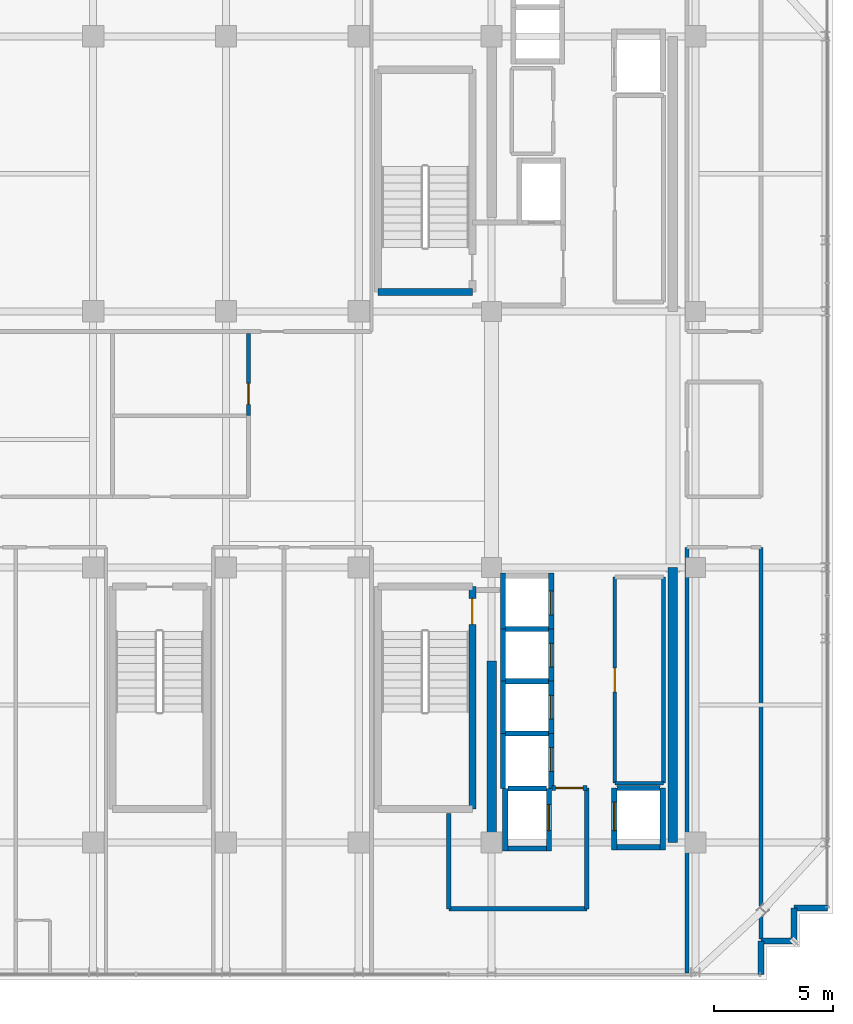
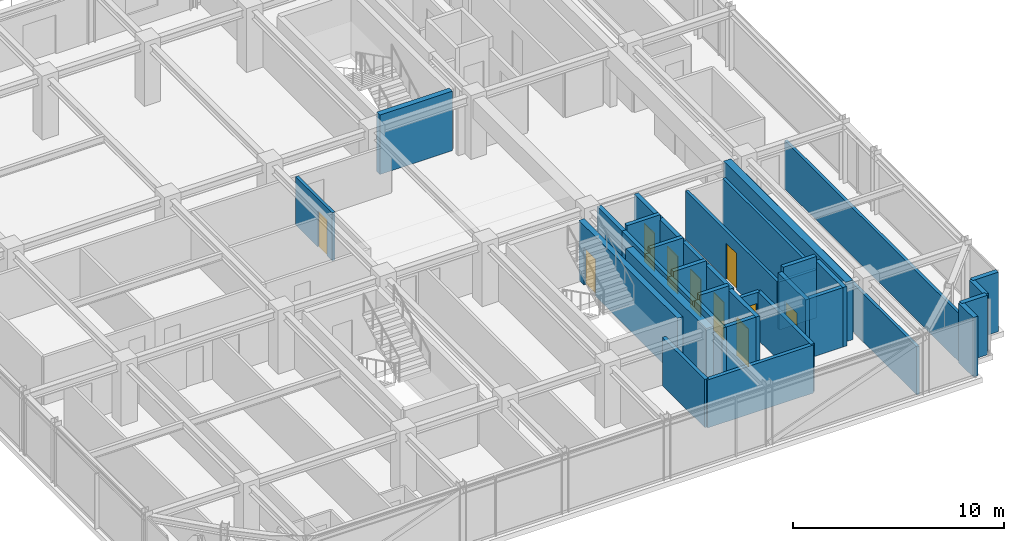
# One storey, part 31 of 36: 37 walls, 10 doors, 10 openings.
"""IFC4 building model written with IfcOpenShell, lengths in metres."""

from ifc_helpers import new_model, si_unit, direction, frame, frame_2d, origin, place, context, subcontext, project, spatial, rectangle, extrude, source, transform, mapped, material, layer, layer_set, type_object, element, fill, save


model = new_model("IFC4")

# Units and contexts
model_context = context("Model", 3, precision=1e-05, world=origin(), true_north=direction((0.0, 1.0)))
body_context = subcontext(model_context, "Body", "Model", "MODEL_VIEW")
ifc_project = project(units=[si_unit("LENGTHUNIT", "METRE"), si_unit("AREAUNIT", "SQUARE_METRE"), si_unit("VOLUMEUNIT", "CUBIC_METRE"), si_unit("PLANEANGLEUNIT", "RADIAN"), si_unit("MASSUNIT", "GRAM", prefix="KILO")], contexts=[model_context])

# Site, building, storey
site_placement = place(None, origin())
site = spatial("IfcSite", under=ifc_project, at=site_placement, CompositionType="ELEMENT")
building_placement = place(site_placement, origin())
building = spatial("IfcBuilding", under=site, at=building_placement, Name="Nahalor Promenade Grand Hotel", CompositionType="ELEMENT")
storey_placement = place(building_placement, frame((0.0, 0.0, 273.800048828125)))
storey = spatial("IfcBuildingStorey", under=building, at=storey_placement, Name="L70", CompositionType="ELEMENT", Elevation=273.800048828125)

# Walls
ifc_material_1 = material(Name="Concrete B-50 (C40/50)", Category="concrete")
ifc_layer_1 = layer(ifc_material_1, 0.39990234375)
ifc_layer_set_1 = layer_set([ifc_layer_1], Name="Concrete B-50 (C40/50)")
wall_type_1 = type_object("IfcWallType", Name="Wall-CoreShear-400", PredefinedType="SHEAR", material=ifc_layer_set_1)
shared_shape_1 = source(origin(), body_context, "Body", "SweptSolid", [
    extrude(rectangle(XDim=7.64990234375, YDim=0.39990234375, at=frame_2d((3.824951171875, 0.0))), origin(), (0.0, 0.0, 1.0), 3.449951171875),
])
wall_1_placement = place(storey_placement, frame((8.39990234375, -17.0, 0.0), z_axis=(0.0, 0.0, 1.0), x_axis=(0.0, 1.0, 0.0)))
element("IfcWall", 1, at=wall_1_placement, inside=storey, type_object=wall_type_1, Name="CWALL-L70-SW", PredefinedType="SHEAR", context=body_context, shape_type="MappedRepresentation", body=[
    mapped(shared_shape_1, transform((0.0, 0.0, 0.0), scale=1.0)),
])
shared_shape_2 = source(origin(), body_context, "Body", "SweptSolid", [
    extrude(rectangle(XDim=11.60009765625, YDim=0.39990234375, at=frame_2d((5.800048828125, 0.0))), origin(), (0.0, 0.0, 1.0), 3.449951171875),
])
wall_2_placement = place(storey_placement, frame((16.050048828125, -17.0, 0.0), z_axis=(0.0, 0.0, 1.0), x_axis=(0.0, 1.0, 0.0)))
element("IfcWall", 2, at=wall_2_placement, inside=storey, type_object=wall_type_1, Name="CWALL-L70-SE", PredefinedType="SHEAR", context=body_context, shape_type="MappedRepresentation", body=[
    mapped(shared_shape_2, transform((0.0, 0.0, 0.0), scale=1.0)),
])
ifc_layer_2 = layer(ifc_material_1, 0.300048828125)
ifc_layer_set_2 = layer_set([ifc_layer_2], Name="Concrete B-50 (C40/50)")
wall_type_2 = type_object("IfcWallType", Name="Wall-ShaftShear-300", PredefinedType="SHEAR", material=ifc_layer_set_2)
shared_shape_3 = source(origin(), body_context, "Body", "SweptSolid", [
    extrude(rectangle(XDim=3.97998046875, YDim=0.300048828125, at=frame_2d((1.989990234375, 0.0))), origin(), (0.0, 0.0, 1.0), 3.449951171875),
])
wall_3_placement = place(storey_placement, frame((3.610107421875, 6.2099609375, 0.0), z_axis=(0.0, 0.0, 1.0), x_axis=(1.0, 0.0, 0.0)))
element("IfcWall", 3, at=wall_3_placement, inside=storey, type_object=wall_type_2, Name="L70 Exit Stair ST1 Shaft Wall S", PredefinedType="SHEAR", context=body_context, shape_type="MappedRepresentation", body=[
    mapped(shared_shape_3, transform((0.0, 0.0, 0.0), scale=1.0)),
])

# Wall, opening, door
shared_shape_4 = source(origin(), body_context, "Body", "SweptSolid", [
    extrude(rectangle(XDim=9.380126953125, YDim=0.300048828125, at=frame_2d((4.68994140625, 0.0))), origin(), (0.0, 0.0, 1.0), 3.449951171875),
])
wall_4_placement = place(storey_placement, frame((7.590087890625, -15.590087890625, 0.0), z_axis=(0.0, 0.0, 1.0), x_axis=(0.0, 1.0, 0.0)))
wall_4 = element("IfcWall", 4, at=wall_4_placement, inside=storey, type_object=wall_type_2, Name="L70 Exit Stair ST2 Shaft Wall E", PredefinedType="SHEAR", context=body_context, shape_type="MappedRepresentation", body=[
    mapped(shared_shape_4, transform((0.0, 0.0, 0.0), scale=1.0)),
])
opening_1_placement = place(wall_4_placement, frame((7.7900390625, 0.0, 0.0)))
opening_1 = element("IfcOpeningElement", 5, at=opening_1_placement, cuts=wall_4, Name="Opening D-ST1", PredefinedType="OPENING", context=body_context, shape_type="SweptSolid", body=[
    extrude(rectangle(XDim=1.10009765625, YDim=2.14990234375, at=frame_2d((0.550048828125, 1.074951171875))), frame((0.0, 0.159912109375, 0.0), z_axis=(0.0, -1.0, 0.0), x_axis=(1.0, 0.0, 0.0)), (0.0, 0.0, 1.0), 0.320068359375),
])
ifc_material_2 = material(Name="Steel S355JR", Category="steel")
door_type_1 = type_object("IfcDoorType", Name="Door-StairFire-1100", OperationType="NOTDEFINED", PredefinedType="DOOR", material=ifc_material_2)
shared_shape_5 = source(origin(), body_context, "Body", "SweptSolid", [
    extrude(rectangle(XDim=1.10009765625, YDim=2.14990234375, at=frame_2d((0.550048828125, 1.074951171875))), frame((0.0, 0.02490234375, 0.0), z_axis=(0.0, -1.0, 0.0), x_axis=(1.0, 0.0, 0.0)), (0.0, 0.0, 1.0), 0.050048828125),
])
door_1_placement = place(opening_1_placement, origin())
door_1 = element("IfcDoor", 6, at=door_1_placement, inside=storey, type_object=door_type_1, Name="DR-STAIR-ST2-L70", OperationType="SINGLE_SWING_LEFT", OverallHeight=2.14990234375, OverallWidth=1.10009765625, PredefinedType="DOOR", context=body_context, shape_type="MappedRepresentation", body=[
    mapped(shared_shape_5, transform((0.0, 0.0, 0.0), scale=1.0)),
])
fill(opening_1, door_1)

# Wall
ifc_layer_3 = layer(ifc_material_1, 0.219970703125)
ifc_layer_set_3 = layer_set([ifc_layer_3], Name="Concrete B-50 (C40/50)")
wall_type_3 = type_object("IfcWallType", Name="Wall-LiftShaft-220", PredefinedType="SHEAR", material=ifc_layer_set_3)
shared_shape_6 = source(origin(), body_context, "Body", "SweptSolid", [
    extrude(rectangle(XDim=2.360107421875, YDim=0.219970703125, at=frame_2d((1.18017578125, 0.0))), origin(), (0.0, 0.0, 1.0), 3.449951171875),
])
wall_5_placement = place(storey_placement, frame((8.8798828125, -8.0, 0.0), z_axis=(0.0, 0.0, 1.0), x_axis=(0.0, 1.0, 0.0)))
element("IfcWall", 7, at=wall_5_placement, inside=storey, type_object=wall_type_3, Name="L70 Lift PL9 Hoistway Wall W", PredefinedType="SHEAR", context=body_context, shape_type="MappedRepresentation", body=[
    mapped(shared_shape_6, transform((0.0, 0.0, 0.0), scale=1.0)),
])

# Wall, opening, door
wall_6_placement = place(storey_placement, frame((10.919921875, -8.0, 0.0), z_axis=(0.0, 0.0, 1.0), x_axis=(0.0, 1.0, 0.0)))
wall_6 = element("IfcWall", 8, at=wall_6_placement, inside=storey, type_object=wall_type_3, Name="L70 Lift PL9 Hoistway Wall E", PredefinedType="SHEAR", context=body_context, shape_type="MappedRepresentation", body=[
    mapped(shared_shape_6, transform((0.0, 0.0, 0.0), scale=1.0)),
])
opening_2_placement = place(wall_6_placement, frame((0.60009765625, 0.0, 0.0)))
opening_2 = element("IfcOpeningElement", 9, at=opening_2_placement, cuts=wall_6, Name="Opening LD-01", PredefinedType="OPENING", context=body_context, shape_type="SweptSolid", body=[
    extrude(rectangle(XDim=1.0, YDim=2.199951171875, at=frame_2d((0.5, 1.10009765625))), frame((0.0, 0.119873046875, 0.0), z_axis=(0.0, -1.0, 0.0), x_axis=(1.0, 0.0, 0.0)), (0.0, 0.0, 1.0), 0.239990234375),
])
door_type_2 = type_object("IfcDoorType", Name="Door-LiftLanding-1000", OperationType="DOUBLE_DOOR_SLIDING", PredefinedType="DOOR", material=ifc_material_2)
shared_shape_7 = source(origin(), body_context, "Body", "SweptSolid", [
    extrude(rectangle(XDim=1.0, YDim=2.199951171875, at=frame_2d((0.5, 1.10009765625))), frame((0.0, 0.02490234375, 0.0), z_axis=(0.0, -1.0, 0.0), x_axis=(1.0, 0.0, 0.0)), (0.0, 0.0, 1.0), 0.050048828125),
])
door_2_placement = place(opening_2_placement, frame((1.0, 0.0, 0.0), z_axis=(0.0, 0.0, 1.0), x_axis=(-1.0, 0.0, 0.0)))
door_2 = element("IfcDoor", 10, at=door_2_placement, inside=storey, type_object=door_type_2, Name="DR-LIFT-PL9-L70", OperationType="DOUBLE_DOOR_SLIDING", OverallHeight=2.199951171875, OverallWidth=1.0, PredefinedType="DOOR", context=body_context, shape_type="MappedRepresentation", body=[
    mapped(shared_shape_7, transform((0.0, 0.0, 0.0), scale=1.0)),
])
fill(opening_2, door_2)

# Walls
shared_shape_8 = source(origin(), body_context, "Body", "SweptSolid", [
    extrude(rectangle(XDim=1.820068359375, YDim=0.219970703125, at=frame_2d((0.91015625, 0.0))), origin(), (0.0, 0.0, 1.0), 3.449951171875),
])
wall_7_placement = place(storey_placement, frame((13.68994140625, -17.199951171875, 0.0), z_axis=(0.0, 0.0, 1.0), x_axis=(1.0, 0.0, 0.0)))
element("IfcWall", 11, at=wall_7_placement, inside=storey, type_object=wall_type_3, Name="L70 Lift SV2 Hoistway Wall S", PredefinedType="SHEAR", context=body_context, shape_type="MappedRepresentation", body=[
    mapped(shared_shape_8, transform((0.0, 0.0, 0.0), scale=1.0)),
])
shared_shape_9 = source(origin(), body_context, "Body", "SweptSolid", [
    extrude(rectangle(XDim=2.199951171875, YDim=0.219970703125, at=frame_2d((1.10009765625, 0.0))), origin(), (0.0, 0.0, 1.0), 3.449951171875),
])
wall_8_placement = place(storey_placement, frame((8.8798828125, -10.199951171875, 0.0), z_axis=(0.0, 0.0, 1.0), x_axis=(0.0, 1.0, 0.0)))
element("IfcWall", 12, at=wall_8_placement, inside=storey, type_object=wall_type_3, Name="L70 Lift PL10 Hoistway Wall W", PredefinedType="SHEAR", context=body_context, shape_type="MappedRepresentation", body=[
    mapped(shared_shape_9, transform((0.0, 0.0, 0.0), scale=1.0)),
])

# Wall, opening, door
wall_9_placement = place(storey_placement, frame((10.919921875, -10.199951171875, 0.0), z_axis=(0.0, 0.0, 1.0), x_axis=(0.0, 1.0, 0.0)))
wall_9 = element("IfcWall", 13, at=wall_9_placement, inside=storey, type_object=wall_type_3, Name="L70 Lift PL10 Hoistway Wall E", PredefinedType="SHEAR", context=body_context, shape_type="MappedRepresentation", body=[
    mapped(shared_shape_9, transform((0.0, 0.0, 0.0), scale=1.0)),
])
opening_3_placement = place(wall_9_placement, frame((0.60009765625, 0.0, 0.0)))
opening_3 = element("IfcOpeningElement", 14, at=opening_3_placement, cuts=wall_9, Name="Opening LD-01", PredefinedType="OPENING", context=body_context, shape_type="SweptSolid", body=[
    extrude(rectangle(XDim=1.0, YDim=2.199951171875, at=frame_2d((0.5, 1.10009765625))), frame((0.0, 0.119873046875, 0.0), z_axis=(0.0, -1.0, 0.0), x_axis=(1.0, 0.0, 0.0)), (0.0, 0.0, 1.0), 0.239990234375),
])
door_3_placement = place(opening_3_placement, frame((1.0, 0.0, 0.0), z_axis=(0.0, 0.0, 1.0), x_axis=(-1.0, 0.0, 0.0)))
door_3 = element("IfcDoor", 15, at=door_3_placement, inside=storey, type_object=door_type_2, Name="DR-LIFT-PL10-L70", OperationType="DOUBLE_DOOR_SLIDING", OverallHeight=2.199951171875, OverallWidth=1.0, PredefinedType="DOOR", context=body_context, shape_type="MappedRepresentation", body=[
    mapped(shared_shape_7, transform((0.0, 0.0, 0.0), scale=1.0)),
])
fill(opening_3, door_3)

# Wall
wall_10_placement = place(storey_placement, frame((8.8798828125, -12.39990234375, 0.0), z_axis=(0.0, 0.0, 1.0), x_axis=(0.0, 1.0, 0.0)))
element("IfcWall", 16, at=wall_10_placement, inside=storey, type_object=wall_type_3, Name="L70 Lift PL11 Hoistway Wall W", PredefinedType="SHEAR", context=body_context, shape_type="MappedRepresentation", body=[
    mapped(shared_shape_9, transform((0.0, 0.0, 0.0), scale=1.0)),
])

# Wall, opening, door
wall_11_placement = place(storey_placement, frame((10.919921875, -12.39990234375, 0.0), z_axis=(0.0, 0.0, 1.0), x_axis=(0.0, 1.0, 0.0)))
wall_11 = element("IfcWall", 17, at=wall_11_placement, inside=storey, type_object=wall_type_3, Name="L70 Lift PL11 Hoistway Wall E", PredefinedType="SHEAR", context=body_context, shape_type="MappedRepresentation", body=[
    mapped(shared_shape_9, transform((0.0, 0.0, 0.0), scale=1.0)),
])
opening_4_placement = place(wall_11_placement, frame((0.60009765625, 0.0, 0.0)))
opening_4 = element("IfcOpeningElement", 18, at=opening_4_placement, cuts=wall_11, Name="Opening LD-01", PredefinedType="OPENING", context=body_context, shape_type="SweptSolid", body=[
    extrude(rectangle(XDim=1.0, YDim=2.199951171875, at=frame_2d((0.5, 1.10009765625))), frame((0.0, 0.119873046875, 0.0), z_axis=(0.0, -1.0, 0.0), x_axis=(1.0, 0.0, 0.0)), (0.0, 0.0, 1.0), 0.239990234375),
])
door_4_placement = place(opening_4_placement, frame((1.0, 0.0, 0.0), z_axis=(0.0, 0.0, 1.0), x_axis=(-1.0, 0.0, 0.0)))
door_4 = element("IfcDoor", 19, at=door_4_placement, inside=storey, type_object=door_type_2, Name="DR-LIFT-PL11-L70", OperationType="DOUBLE_DOOR_SLIDING", OverallHeight=2.199951171875, OverallWidth=1.0, PredefinedType="DOOR", context=body_context, shape_type="MappedRepresentation", body=[
    mapped(shared_shape_7, transform((0.0, 0.0, 0.0), scale=1.0)),
])
fill(opening_4, door_4)

# Walls
shared_shape_10 = source(origin(), body_context, "Body", "SweptSolid", [
    extrude(rectangle(XDim=1.820068359375, YDim=0.219970703125, at=frame_2d((0.91015625, 0.0))), origin(), (0.0, 0.0, 1.0), 3.75),
])
for number, where, z_axis, x_axis, name in (
    (20, (8.989990234375, -8.0, 0.0), (0.0, 0.0, 1.0), (1.0, 0.0, 0.0), "L70 Lift PL10 Hoistway Wall N"),
    (21, (8.989990234375, -10.199951171875, 0.0), (0.0, 0.0, 1.0), (1.0, 0.0, 0.0), "L70 Lift PL11 Hoistway Wall N"),
    (22, (8.989990234375, -12.39990234375, 0.0), (0.0, 0.0, 1.0), (1.0, 0.0, 0.0), "L70 Lift PL12 Hoistway Wall N"),
    (23, (13.68994140625, -14.699951171875, 0.0), (0.0, 0.0, 1.0), (1.0, 0.0, 0.0), "L70 Lift SV2 Hoistway Wall N"),
):
    element("IfcWall", number, at=place(storey_placement, frame(where, z_axis=z_axis, x_axis=x_axis)), inside=storey, type_object=wall_type_3, Name=name, PredefinedType="SHEAR", context=body_context, shape_type="MappedRepresentation", body=[
        mapped(shared_shape_10, transform((0.0, 0.0, 0.0), scale=1.0)),
    ])
shared_shape_11 = source(origin(), body_context, "Body", "SweptSolid", [
    extrude(rectangle(XDim=2.3251953125, YDim=0.219970703125, at=frame_2d((1.16259765625, 0.0))), origin(), (0.0, 0.0, 1.0), 3.449951171875),
])
wall_12_placement = place(storey_placement, frame((8.8798828125, -14.72509765625, 0.0), z_axis=(0.0, 0.0, 1.0), x_axis=(0.0, 1.0, 0.0)))
element("IfcWall", 24, at=wall_12_placement, inside=storey, type_object=wall_type_3, Name="L70 Lift PL12 Hoistway Wall W", PredefinedType="SHEAR", context=body_context, shape_type="MappedRepresentation", body=[
    mapped(shared_shape_11, transform((0.0, 0.0, 0.0), scale=1.0)),
])

# Wall, opening, door
wall_13_placement = place(storey_placement, frame((10.919921875, -14.72509765625, 0.0), z_axis=(0.0, 0.0, 1.0), x_axis=(0.0, 1.0, 0.0)))
wall_13 = element("IfcWall", 25, at=wall_13_placement, inside=storey, type_object=wall_type_3, Name="L70 Lift PL12 Hoistway Wall E", PredefinedType="SHEAR", context=body_context, shape_type="MappedRepresentation", body=[
    mapped(shared_shape_11, transform((0.0, 0.0, 0.0), scale=1.0)),
])
opening_5_placement = place(wall_13_placement, frame((0.72509765625, 0.0, 0.0)))
opening_5 = element("IfcOpeningElement", 26, at=opening_5_placement, cuts=wall_13, Name="Opening LD-01", PredefinedType="OPENING", context=body_context, shape_type="SweptSolid", body=[
    extrude(rectangle(XDim=1.0, YDim=2.199951171875, at=frame_2d((0.5, 1.10009765625))), frame((0.0, 0.119873046875, 0.0), z_axis=(0.0, -1.0, 0.0), x_axis=(1.0, 0.0, 0.0)), (0.0, 0.0, 1.0), 0.239990234375),
])
door_5_placement = place(opening_5_placement, frame((1.0, 0.0, 0.0), z_axis=(0.0, 0.0, 1.0), x_axis=(-1.0, 0.0, 0.0)))
door_5 = element("IfcDoor", 27, at=door_5_placement, inside=storey, type_object=door_type_2, Name="DR-LIFT-PL12-L70", OperationType="DOUBLE_DOOR_SLIDING", OverallHeight=2.199951171875, OverallWidth=1.0, PredefinedType="DOOR", context=body_context, shape_type="MappedRepresentation", body=[
    mapped(shared_shape_7, transform((0.0, 0.0, 0.0), scale=1.0)),
])
fill(opening_5, door_5)

# Wall
shared_shape_12 = source(origin(), body_context, "Body", "SweptSolid", [
    extrude(rectangle(XDim=2.635009765625, YDim=0.219970703125, at=frame_2d((1.3173828125, 0.0))), origin(), (0.0, 0.0, 1.0), 3.449951171875),
])
wall_14_placement = place(storey_placement, frame((8.97998046875, -17.360107421875, 0.0), z_axis=(0.0, 0.0, 1.0), x_axis=(0.0, 1.0, 0.0)))
element("IfcWall", 28, at=wall_14_placement, inside=storey, type_object=wall_type_3, Name="L70 Lift FL2 Hoistway Wall W", PredefinedType="SHEAR", context=body_context, shape_type="MappedRepresentation", body=[
    mapped(shared_shape_12, transform((0.0, 0.0, 0.0), scale=1.0)),
])

# Wall, opening, door
wall_15_placement = place(storey_placement, frame((10.820068359375, -17.360107421875, 0.0), z_axis=(0.0, 0.0, 1.0), x_axis=(0.0, 1.0, 0.0)))
wall_15 = element("IfcWall", 29, at=wall_15_placement, inside=storey, type_object=wall_type_3, Name="L70 Lift FL2 Hoistway Wall E", PredefinedType="SHEAR", context=body_context, shape_type="MappedRepresentation", body=[
    mapped(shared_shape_12, transform((0.0, 0.0, 0.0), scale=1.0)),
])
opening_6_placement = place(wall_15_placement, frame((0.860107421875, 0.0, 0.0)))
opening_6 = element("IfcOpeningElement", 30, at=opening_6_placement, cuts=wall_15, Name="Opening LD-02", PredefinedType="OPENING", context=body_context, shape_type="SweptSolid", body=[
    extrude(rectangle(XDim=1.10009765625, YDim=2.199951171875, at=frame_2d((0.550048828125, 1.10009765625))), frame((0.0, 0.119873046875, 0.0), z_axis=(0.0, -1.0, 0.0), x_axis=(1.0, 0.0, 0.0)), (0.0, 0.0, 1.0), 0.239990234375),
])
door_type_3 = type_object("IfcDoorType", Name="Door-LiftFF-1100", OperationType="DOUBLE_DOOR_SLIDING", PredefinedType="DOOR", material=ifc_material_2)
shared_shape_13 = source(origin(), body_context, "Body", "SweptSolid", [
    extrude(rectangle(XDim=1.10009765625, YDim=2.199951171875, at=frame_2d((0.550048828125, 1.10009765625))), frame((0.0, 0.02490234375, 0.0), z_axis=(0.0, -1.0, 0.0), x_axis=(1.0, 0.0, 0.0)), (0.0, 0.0, 1.0), 0.050048828125),
])
door_6_placement = place(opening_6_placement, frame((1.10009765625, 0.0, 0.0), z_axis=(0.0, 0.0, 1.0), x_axis=(-1.0, 0.0, 0.0)))
door_6 = element("IfcDoor", 31, at=door_6_placement, inside=storey, type_object=door_type_3, Name="DR-LIFT-FL2-L70", OperationType="DOUBLE_DOOR_SLIDING", OverallHeight=2.199951171875, OverallWidth=1.10009765625, PredefinedType="DOOR", context=body_context, shape_type="MappedRepresentation", body=[
    mapped(shared_shape_13, transform((0.0, 0.0, 0.0), scale=1.0)),
])
fill(opening_6, door_6)

# Walls
shared_shape_14 = source(origin(), body_context, "Body", "SweptSolid", [
    extrude(rectangle(XDim=1.619873046875, YDim=0.219970703125, at=frame_2d((0.81005859375, 0.0))), origin(), (0.0, 0.0, 1.0), 3.449951171875),
])
wall_16_placement = place(storey_placement, frame((9.090087890625, -17.25, 0.0), z_axis=(0.0, 0.0, 1.0), x_axis=(1.0, 0.0, 0.0)))
element("IfcWall", 32, at=wall_16_placement, inside=storey, type_object=wall_type_3, Name="L70 Lift FL2 Hoistway Wall S", PredefinedType="SHEAR", context=body_context, shape_type="MappedRepresentation", body=[
    mapped(shared_shape_14, transform((0.0, 0.0, 0.0), scale=1.0)),
])
shared_shape_15 = source(origin(), body_context, "Body", "SweptSolid", [
    extrude(rectangle(XDim=1.619873046875, YDim=0.219970703125, at=frame_2d((0.81005859375, 0.0))), origin(), (0.0, 0.0, 1.0), 3.75),
])
wall_17_placement = place(storey_placement, frame((9.090087890625, -14.72509765625, 0.0), z_axis=(0.0, 0.0, 1.0), x_axis=(1.0, 0.0, 0.0)))
element("IfcWall", 33, at=wall_17_placement, inside=storey, type_object=wall_type_3, Name="L70 Lift FL2 Hoistway Wall N", PredefinedType="SHEAR", context=body_context, shape_type="MappedRepresentation", body=[
    mapped(shared_shape_15, transform((0.0, 0.0, 0.0), scale=1.0)),
])

# Wall, opening, door
shared_shape_16 = source(origin(), body_context, "Body", "SweptSolid", [
    extrude(rectangle(XDim=2.610107421875, YDim=0.219970703125, at=frame_2d((1.30517578125, 0.0))), origin(), (0.0, 0.0, 1.0), 3.449951171875),
])
wall_18_placement = place(storey_placement, frame((13.580078125, -17.31005859375, 0.0), z_axis=(0.0, 0.0, 1.0), x_axis=(0.0, 1.0, 0.0)))
wall_18 = element("IfcWall", 34, at=wall_18_placement, inside=storey, type_object=wall_type_3, Name="L70 Lift SV2 Hoistway Wall W", PredefinedType="SHEAR", context=body_context, shape_type="MappedRepresentation", body=[
    mapped(shared_shape_16, transform((0.0, 0.0, 0.0), scale=1.0)),
])
opening_7_placement = place(wall_18_placement, frame((0.81005859375, 0.0, 0.0)))
opening_7 = element("IfcOpeningElement", 35, at=opening_7_placement, cuts=wall_18, Name="Opening LD-03", PredefinedType="OPENING", context=body_context, shape_type="SweptSolid", body=[
    extrude(rectangle(XDim=1.199951171875, YDim=2.199951171875, at=frame_2d((0.60009765625, 1.10009765625))), frame((0.0, 0.119873046875, 0.0), z_axis=(0.0, -1.0, 0.0), x_axis=(1.0, 0.0, 0.0)), (0.0, 0.0, 1.0), 0.239990234375),
])
door_type_4 = type_object("IfcDoorType", Name="Door-LiftService-1200", OperationType="DOUBLE_DOOR_SLIDING", PredefinedType="DOOR", material=ifc_material_2)
shared_shape_17 = source(origin(), body_context, "Body", "SweptSolid", [
    extrude(rectangle(XDim=1.199951171875, YDim=2.199951171875, at=frame_2d((0.60009765625, 1.10009765625))), frame((0.0, 0.02490234375, 0.0), z_axis=(0.0, -1.0, 0.0), x_axis=(1.0, 0.0, 0.0)), (0.0, 0.0, 1.0), 0.050048828125),
])
door_7_placement = place(opening_7_placement, origin())
door_7 = element("IfcDoor", 36, at=door_7_placement, inside=storey, type_object=door_type_4, Name="DR-LIFT-SV2-L70", OperationType="DOUBLE_DOOR_SLIDING", OverallHeight=2.199951171875, OverallWidth=1.199951171875, PredefinedType="DOOR", context=body_context, shape_type="MappedRepresentation", body=[
    mapped(shared_shape_17, transform((0.0, 0.0, 0.0), scale=1.0)),
])
fill(opening_7, door_7)

# Walls
wall_19_placement = place(storey_placement, frame((15.6201171875, -17.31005859375, 0.0), z_axis=(0.0, 0.0, 1.0), x_axis=(0.0, 1.0, 0.0)))
element("IfcWall", 37, at=wall_19_placement, inside=storey, type_object=wall_type_3, Name="L70 Lift SV2 Hoistway Wall E", PredefinedType="SHEAR", context=body_context, shape_type="MappedRepresentation", body=[
    mapped(shared_shape_16, transform((0.0, 0.0, 0.0), scale=1.0)),
])
ifc_material_3 = material(Name="Concrete B-40 (C32/40)", Category="concrete")
ifc_layer_4 = layer(ifc_material_3, 0.25)
ifc_layer_set_4 = layer_set([ifc_layer_4], Name="Concrete B-40 (C32/40)")
wall_type_4 = type_object("IfcWallType", Name="Wall-BronzePier-250", PredefinedType="STANDARD", material=ifc_layer_set_4)
shared_shape_18 = source(origin(), body_context, "Body", "SweptSolid", [
    extrude(rectangle(XDim=1.400146484375, YDim=0.25, at=frame_2d((0.7001953125, 0.0))), origin(), (0.0, 0.0, 1.0), 3.449951171875),
])
for number, where, z_axis, x_axis, name in (
    (38, (19.760009765625, -22.56005859375, 0.0), (0.0, 0.0, 1.0), (0.0, 1.0, 0.0), "W-L70-SR-01"),
    (39, (21.159912109375, -19.760009765625, 0.0), (0.0, 0.0, 1.0), (1.0, 0.0, 0.0), "W-L70-SR-04"),
):
    element("IfcWall", number, at=place(storey_placement, frame(where, z_axis=z_axis, x_axis=x_axis)), inside=storey, type_object=wall_type_4, Name=name, PredefinedType="STANDARD", context=body_context, shape_type="MappedRepresentation", body=[
        mapped(shared_shape_18, transform((0.0, 0.0, 0.0), scale=1.0)),
    ])
shared_shape_19 = source(origin(), body_context, "Body", "SweptSolid", [
    extrude(rectangle(XDim=1.39990234375, YDim=0.25, at=frame_2d((0.699951171875, 0.0))), origin(), (0.0, 0.0, 1.0), 3.449951171875),
])
for number, where, z_axis, x_axis, name in (
    (40, (19.760009765625, -21.159912109375, 0.0), (0.0, 0.0, 1.0), (1.0, 0.0, 0.0), "W-L70-SR-02"),
    (41, (21.159912109375, -21.159912109375, 0.0), (0.0, 0.0, 1.0), (0.0, 1.0, 0.0), "W-L70-SR-03"),
):
    element("IfcWall", number, at=place(storey_placement, frame(where, z_axis=z_axis, x_axis=x_axis)), inside=storey, type_object=wall_type_4, Name=name, PredefinedType="STANDARD", context=body_context, shape_type="MappedRepresentation", body=[
        mapped(shared_shape_19, transform((0.0, 0.0, 0.0), scale=1.0)),
    ])
ifc_layer_5 = layer(ifc_material_3, 0.199951171875)
ifc_layer_set_5 = layer_set([ifc_layer_5], Name="Concrete B-40 (C32/40)")
wall_type_5 = type_object("IfcWallType", Name="Wall-PartFire-200", PredefinedType="PARTITIONING", material=ifc_layer_set_5)
shared_shape_20 = source(origin(), body_context, "Body", "SweptSolid", [
    extrude(rectangle(XDim=5.81982421875, YDim=0.199951171875, at=frame_2d((2.909912109375, 0.0))), origin(), (0.0, 0.0, 1.0), 2.7900390625),
])
wall_20_placement = place(storey_placement, frame((6.60009765625, -19.800048828125, 0.0), z_axis=(0.0, 0.0, 1.0), x_axis=(1.0, 0.0, 0.0)))
element("IfcWall", 42, at=wall_20_placement, inside=storey, type_object=wall_type_5, Name="W-L70-FF2-S1", PredefinedType="PARTITIONING", context=body_context, shape_type="MappedRepresentation", body=[
    mapped(shared_shape_20, transform((0.0, 0.0, 0.0), scale=1.0)),
])
shared_shape_21 = source(origin(), body_context, "Body", "SweptSolid", [
    extrude(rectangle(XDim=4.030029296875, YDim=0.199951171875, at=frame_2d((2.01513671875, 0.0))), origin(), (0.0, 0.0, 1.0), 2.7900390625),
])
wall_21_placement = place(storey_placement, frame((6.60009765625, -19.800048828125, 0.0), z_axis=(0.0, 0.0, 1.0), x_axis=(0.0, 1.0, 0.0)))
element("IfcWall", 43, at=wall_21_placement, inside=storey, type_object=wall_type_5, Name="W-L70-FF2-W1", PredefinedType="PARTITIONING", context=body_context, shape_type="MappedRepresentation", body=[
    mapped(shared_shape_21, transform((0.0, 0.0, 0.0), scale=1.0)),
])
shared_shape_22 = source(origin(), body_context, "Body", "SweptSolid", [
    extrude(rectangle(XDim=5.10009765625, YDim=0.199951171875, at=frame_2d((2.550048828125, 0.0))), origin(), (0.0, 0.0, 1.0), 2.7900390625),
])
wall_22_placement = place(storey_placement, frame((12.419921875, -19.800048828125, 0.0), z_axis=(0.0, 0.0, 1.0), x_axis=(0.0, 1.0, 0.0)))
element("IfcWall", 44, at=wall_22_placement, inside=storey, type_object=wall_type_5, Name="W-L70-FF2-E", PredefinedType="PARTITIONING", context=body_context, shape_type="MappedRepresentation", body=[
    mapped(shared_shape_22, transform((0.0, 0.0, 0.0), scale=1.0)),
])

# Wall, opening, door
shared_shape_23 = source(origin(), body_context, "Body", "SweptSolid", [
    extrude(rectangle(XDim=1.4599609375, YDim=0.199951171875, at=frame_2d((0.72998046875, 0.0))), origin(), (0.0, 0.0, 1.0), 2.7900390625),
])
wall_23_placement = place(storey_placement, frame((10.9599609375, -14.699951171875, 0.0), z_axis=(0.0, 0.0, 1.0), x_axis=(1.0, 0.0, 0.0)))
wall_23 = element("IfcWall", 45, at=wall_23_placement, inside=storey, type_object=wall_type_5, Name="W-L70-FF2-N1", PredefinedType="PARTITIONING", context=body_context, shape_type="MappedRepresentation", body=[
    mapped(shared_shape_23, transform((0.0, 0.0, 0.0), scale=1.0)),
])
opening_8_placement = place(wall_23_placement, frame((0.14501953125, 0.0, 0.0)))
opening_8 = element("IfcOpeningElement", 46, at=opening_8_placement, cuts=wall_23, Name="Opening D-FF1", PredefinedType="OPENING", context=body_context, shape_type="SweptSolid", body=[
    extrude(rectangle(XDim=1.14990234375, YDim=2.14990234375, at=frame_2d((0.574951171875, 1.074951171875))), frame((0.0, 0.10986328125, 0.0), z_axis=(0.0, -1.0, 0.0), x_axis=(1.0, 0.0, 0.0)), (0.0, 0.0, 1.0), 0.219970703125),
])
door_type_5 = type_object("IfcDoorType", Name="Door-FFLobby-1150", OperationType="NOTDEFINED", PredefinedType="DOOR", material=ifc_material_2)
shared_shape_24 = source(origin(), body_context, "Body", "SweptSolid", [
    extrude(rectangle(XDim=1.14990234375, YDim=2.14990234375, at=frame_2d((0.574951171875, 1.074951171875))), frame((0.0, 0.02490234375, 0.0), z_axis=(0.0, -1.0, 0.0), x_axis=(1.0, 0.0, 0.0)), (0.0, 0.0, 1.0), 0.050048828125),
])
door_8_placement = place(opening_8_placement, origin())
door_8 = element("IfcDoor", 47, at=door_8_placement, inside=storey, type_object=door_type_5, Name="DR-L70-FFL2", OperationType="SINGLE_SWING_RIGHT", OverallHeight=2.14990234375, OverallWidth=1.14990234375, PredefinedType="DOOR", context=body_context, shape_type="MappedRepresentation", body=[
    mapped(shared_shape_24, transform((0.0, 0.0, 0.0), scale=1.0)),
])
fill(opening_8, door_8)

# Walls
ifc_material_4 = material(Name="Acoustic Mineral Gypsum", Category="gypsum")
ifc_layer_6 = layer(ifc_material_4, 0.159912109375)
ifc_layer_set_6 = layer_set([ifc_layer_6], Name="Acoustic Mineral Gypsum")
wall_type_6 = type_object("IfcWallType", Name="Wall-PartCorridor-160", PredefinedType="PARTITIONING", material=ifc_layer_set_6)
shared_shape_25 = source(origin(), body_context, "Body", "SweptSolid", [
    extrude(rectangle(XDim=2.0498046875, YDim=0.159912109375, at=frame_2d((1.02490234375, 0.0))), origin(), (0.0, 0.0, 1.0), 2.7900390625),
])
wall_24_placement = place(storey_placement, frame((13.60009765625, -14.5, 0.0), z_axis=(0.0, 0.0, 1.0), x_axis=(1.0, 0.0, 0.0)))
element("IfcWall", 48, at=wall_24_placement, inside=storey, type_object=wall_type_6, Name="W-L70-FRB2-S", PredefinedType="PARTITIONING", context=body_context, shape_type="MappedRepresentation", body=[
    mapped(shared_shape_25, transform((0.0, 0.0, 0.0), scale=1.0)),
])
shared_shape_26 = source(origin(), body_context, "Body", "SweptSolid", [
    extrude(rectangle(XDim=17.949951171875, YDim=0.159912109375, at=frame_2d((8.97509765625, 0.0))), origin(), (0.0, 0.0, 1.0), 2.7900390625),
])
wall_25_placement = place(storey_placement, frame((16.64990234375, -22.5, 0.0), z_axis=(0.0, 0.0, 1.0), x_axis=(0.0, 1.0, 0.0)))
element("IfcWall", 49, at=wall_25_placement, inside=storey, type_object=wall_type_6, Name="W-L70-ESE-W", PredefinedType="PARTITIONING", context=body_context, shape_type="MappedRepresentation", body=[
    mapped(shared_shape_26, transform((0.0, 0.0, 0.0), scale=1.0)),
])
shared_shape_27 = source(origin(), body_context, "Body", "SweptSolid", [
    extrude(rectangle(XDim=16.530029296875, YDim=0.159912109375, at=frame_2d((8.26513671875, 0.0))), origin(), (0.0, 0.0, 1.0), 2.7900390625),
])
wall_26_placement = place(storey_placement, frame((19.760009765625, -21.080078125, 0.0), z_axis=(0.0, 0.0, 1.0), x_axis=(0.0, 1.0, 0.0)))
element("IfcWall", 50, at=wall_26_placement, inside=storey, type_object=wall_type_6, Name="W-L70-ESE-E", PredefinedType="PARTITIONING", context=body_context, shape_type="MappedRepresentation", body=[
    mapped(shared_shape_27, transform((0.0, 0.0, 0.0), scale=1.0)),
])

# Wall, opening, door
shared_shape_28 = source(origin(), body_context, "Body", "SweptSolid", [
    extrude(rectangle(XDim=8.699951171875, YDim=0.159912109375, at=frame_2d((4.35009765625, 0.0))), origin(), (0.0, 0.0, 1.0), 2.7900390625),
])
wall_27_placement = place(storey_placement, frame((13.60009765625, -14.5, 0.0), z_axis=(0.0, 0.0, 1.0), x_axis=(0.0, 1.0, 0.0)))
wall_27 = element("IfcWall", 51, at=wall_27_placement, inside=storey, type_object=wall_type_6, Name="W-L70-FRB2-W", PredefinedType="PARTITIONING", context=body_context, shape_type="MappedRepresentation", body=[
    mapped(shared_shape_28, transform((0.0, 0.0, 0.0), scale=1.0)),
])
opening_9_placement = place(wall_27_placement, frame((3.85009765625, 0.0, 0.0)))
opening_9 = element("IfcOpeningElement", 52, at=opening_9_placement, cuts=wall_27, Name="Opening D-04", PredefinedType="OPENING", context=body_context, shape_type="SweptSolid", body=[
    extrude(rectangle(XDim=1.0, YDim=2.10009765625, at=frame_2d((0.5, 1.050048828125))), frame((0.0, 0.08984375, 0.0), z_axis=(0.0, -1.0, 0.0), x_axis=(1.0, 0.0, 0.0)), (0.0, 0.0, 1.0), 0.179931640625),
])
door_type_6 = type_object("IfcDoorType", Name="Door-ServiceFire-1000", OperationType="NOTDEFINED", PredefinedType="DOOR", material=ifc_material_2)
shared_shape_29 = source(origin(), body_context, "Body", "SweptSolid", [
    extrude(rectangle(XDim=1.0, YDim=2.10009765625, at=frame_2d((0.5, 1.050048828125))), frame((0.0, 0.02490234375, 0.0), z_axis=(0.0, -1.0, 0.0), x_axis=(1.0, 0.0, 0.0)), (0.0, 0.0, 1.0), 0.050048828125),
])
door_9_placement = place(opening_9_placement, frame((1.0, 0.0, 0.0), z_axis=(0.0, 0.0, 1.0), x_axis=(-1.0, 0.0, 0.0)))
door_9 = element("IfcDoor", 53, at=door_9_placement, inside=storey, type_object=door_type_6, Name="DR-L70-FRB2", OperationType="SINGLE_SWING_LEFT", OverallHeight=2.10009765625, OverallWidth=1.0, PredefinedType="DOOR", context=body_context, shape_type="MappedRepresentation", body=[
    mapped(shared_shape_29, transform((0.0, 0.0, 0.0), scale=1.0)),
])
fill(opening_9, door_9)

# Wall
wall_28_placement = place(storey_placement, frame((15.64990234375, -14.5, 0.0), z_axis=(0.0, 0.0, 1.0), x_axis=(0.0, 1.0, 0.0)))
element("IfcWall", 54, at=wall_28_placement, inside=storey, type_object=wall_type_6, Name="W-L70-FRB2-E", PredefinedType="PARTITIONING", context=body_context, shape_type="MappedRepresentation", body=[
    mapped(shared_shape_28, transform((0.0, 0.0, 0.0), scale=1.0)),
])

# Wall, opening, door
shared_shape_30 = source(origin(), body_context, "Body", "SweptSolid", [
    extrude(rectangle(XDim=3.469970703125, YDim=0.159912109375, at=frame_2d((1.73486328125, 0.0))), origin(), (0.0, 0.0, 1.0), 2.7900390625),
])
wall_29_placement = place(storey_placement, frame((-1.85009765625, 1.0, 0.0), z_axis=(0.0, 0.0, 1.0), x_axis=(0.0, 1.0, 0.0)))
wall_29 = element("IfcWall", 55, at=wall_29_placement, inside=storey, type_object=wall_type_6, Name="W-L70-ZW4-E", PredefinedType="PARTITIONING", context=body_context, shape_type="MappedRepresentation", body=[
    mapped(shared_shape_30, transform((0.0, 0.0, 0.0), scale=1.0)),
])
opening_10_placement = place(wall_29_placement, frame((0.48095703125, 0.0, 0.0)))
opening_10 = element("IfcOpeningElement", 56, at=opening_10_placement, cuts=wall_29, Name="Opening D-03", PredefinedType="OPENING", context=body_context, shape_type="SweptSolid", body=[
    extrude(rectangle(XDim=0.8798828125, YDim=2.10009765625, at=frame_2d((0.43994140625, 1.050048828125))), frame((0.0, 0.08984375, 0.0), z_axis=(0.0, -1.0, 0.0), x_axis=(1.0, 0.0, 0.0)), (0.0, 0.0, 1.0), 0.179931640625),
])
ifc_material_5 = material(Name="Fire-Rated Timber Composite", Category="wood")
door_type_7 = type_object("IfcDoorType", Name="Door-BathSwing-880", OperationType="NOTDEFINED", PredefinedType="DOOR", material=ifc_material_5)
shared_shape_31 = source(origin(), body_context, "Body", "SweptSolid", [
    extrude(rectangle(XDim=0.8798828125, YDim=2.10009765625, at=frame_2d((0.43994140625, 1.050048828125))), frame((0.0, 0.02490234375, 0.0), z_axis=(0.0, -1.0, 0.0), x_axis=(1.0, 0.0, 0.0)), (0.0, 0.0, 1.0), 0.050048828125),
])
door_10_placement = place(opening_10_placement, origin())
door_10 = element("IfcDoor", 57, at=door_10_placement, inside=storey, type_object=door_type_7, Name="DR-L70-ZW4", OperationType="SINGLE_SWING_LEFT", OverallHeight=2.10009765625, OverallWidth=0.8798828125, PredefinedType="DOOR", context=body_context, shape_type="MappedRepresentation", body=[
    mapped(shared_shape_31, transform((0.0, 0.0, 0.0), scale=1.0)),
])
fill(opening_10, door_10)

save(model, "model.ifc")
